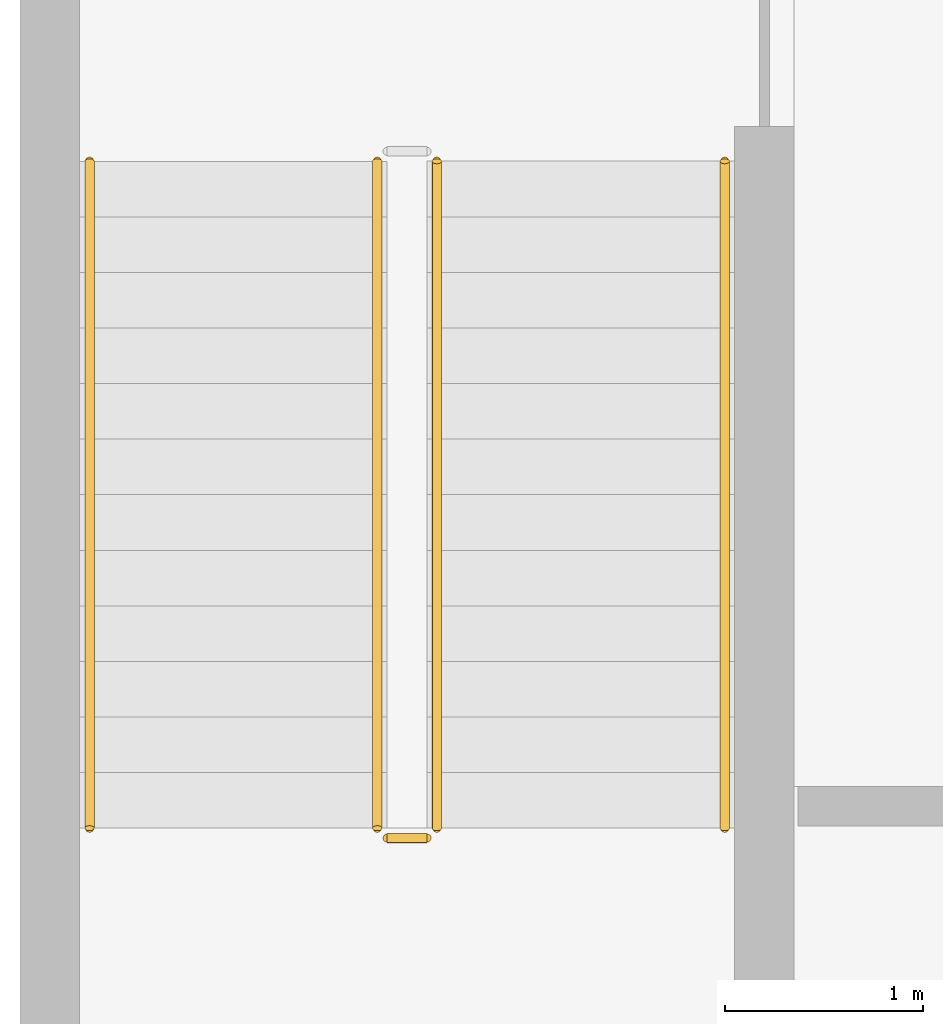
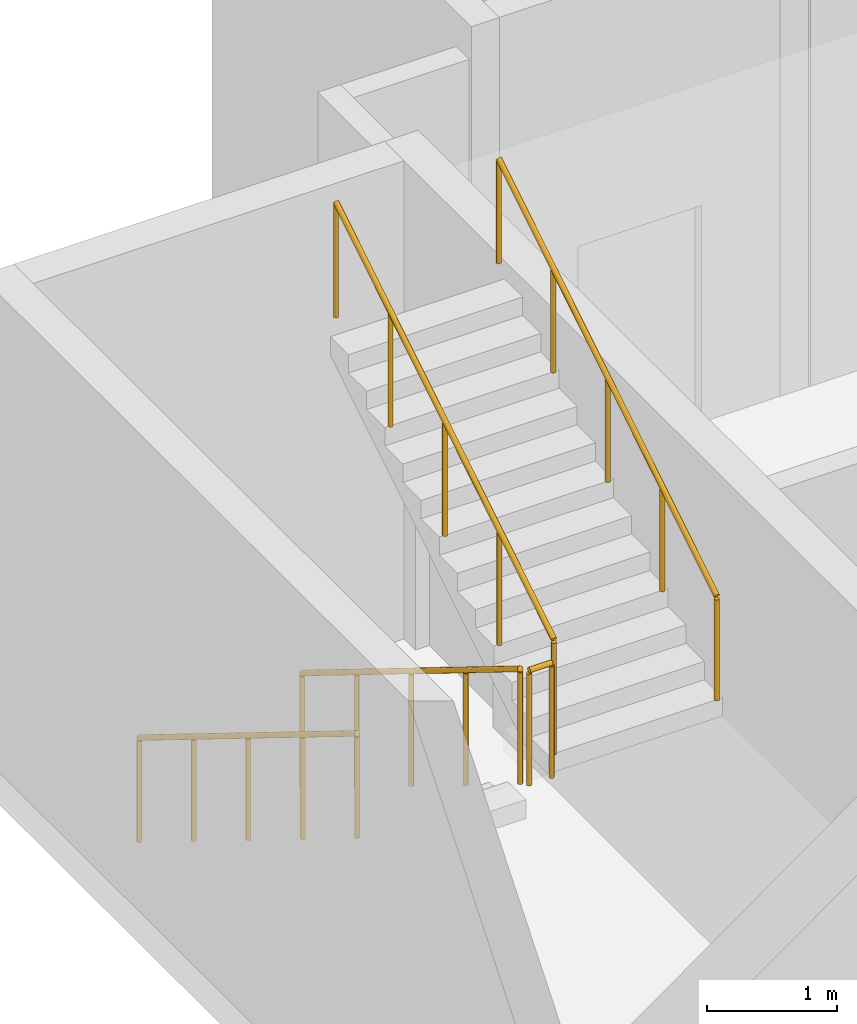
# One storey, part 3 of 7: 5 railings.
"""IFC4 building model written with IfcOpenShell, lengths in metres."""

from ifc_helpers import new_model, si_unit, direction, frame, origin, origin_2d, place, context, subcontext, project, spatial, circle, extrude, material, type_object, element, save


model = new_model("IFC4")

# Units and contexts
model_context = context("Model", 3, precision=1e-05, world=origin(), true_north=direction((0.0, 1.0)))
body_context = subcontext(model_context, "Body", "Model", "MODEL_VIEW")
ifc_project = project(units=[si_unit("LENGTHUNIT", "METRE"), si_unit("AREAUNIT", "SQUARE_METRE"), si_unit("VOLUMEUNIT", "CUBIC_METRE"), si_unit("PLANEANGLEUNIT", "RADIAN"), si_unit("MASSUNIT", "GRAM", prefix="KILO")], contexts=[model_context])

# Site, building, storey
site_placement = place(None, origin())
site = spatial("IfcSite", under=ifc_project, at=site_placement, CompositionType="ELEMENT")
building_placement = place(site_placement, origin())
building = spatial("IfcBuilding", under=site, at=building_placement, Name="Lunette Opera House", CompositionType="ELEMENT")
storey_placement = place(building_placement, frame((0.0, 0.0, -10.5)))
storey = spatial("IfcBuildingStorey", under=building, at=storey_placement, Name="B2", CompositionType="ELEMENT", Elevation=-10.5)

# Railings
ifc_material_1 = material(Name="Steel S355", Category="steel")
railing_type_1 = type_object("IfcRailingType", Name="STAIR GUARD 1100", PredefinedType="GUARDRAIL", material=ifc_material_1)
railing_1_placement = place(storey_placement, frame((75.800048828125, 128.14990234375, 0.173095703125)))
element("IfcRailing", 1, at=railing_1_placement, inside=storey, type_object=railing_type_1, Name="B2 ST11 stair guard 1", PredefinedType="GUARDRAIL", context=body_context, shape_type="SweptSolid", body=[
    extrude(circle(Radius=0.02392578125, at=origin_2d()), frame((0.0, 0.0, 1.076171875), z_axis=(0.0, -0.850606129759, 0.525803396734), x_axis=(1.0, 0.0, 0.0)), (0.0, 0.0, 1.0), 3.949951171875),
    extrude(circle(Radius=0.02099609375, at=origin_2d()), origin(), (0.0, 0.0, 1.0), 1.052001953125),
    extrude(circle(Radius=0.02099609375, at=origin_2d()), frame((0.0, -0.83984375, 0.519287109375)), (0.0, 0.0, 1.0), 1.052001953125),
    extrude(circle(Radius=0.02099609375, at=origin_2d()), frame((0.0, -1.679931640625, 1.03857421875)), (0.0, 0.0, 1.0), 1.052001953125),
    extrude(circle(Radius=0.02099609375, at=origin_2d()), frame((0.0, -2.52001953125, 1.5576171875)), (0.0, 0.0, 1.0), 1.052001953125),
    extrude(circle(Radius=0.02099609375, at=origin_2d()), frame((0.0, -3.35986328125, 2.076904296875)), (0.0, 0.0, 1.0), 1.052001953125),
])
railing_2_placement = place(storey_placement, frame((75.85009765625, 124.739990234375, 2.25)))
element("IfcRailing", 2, at=railing_2_placement, inside=storey, type_object=railing_type_1, Name="B2 ST11 stair guard 2", PredefinedType="GUARDRAIL", context=body_context, shape_type="SweptSolid", body=[
    extrude(circle(Radius=0.02392578125, at=origin_2d()), frame((0.0, 0.0, 1.076171875), z_axis=(1.0, 0.0, 0.0), x_axis=(0.0, 1.0, 0.0)), (0.0, 0.0, 1.0), 0.199951171875),
    extrude(circle(Radius=0.02099609375, at=origin_2d()), origin(), (0.0, 0.0, 1.0), 1.052001953125),
    extrude(circle(Radius=0.02099609375, at=origin_2d()), frame((0.199951171875, 0.0, 0.0)), (0.0, 0.0, 1.0), 1.052001953125),
])
railing_3_placement = place(storey_placement, frame((76.10009765625, 124.7900390625, 2.423095703125)))
element("IfcRailing", 3, at=railing_3_placement, inside=storey, type_object=railing_type_1, Name="B2 ST11 stair guard 3", PredefinedType="GUARDRAIL", context=body_context, shape_type="SweptSolid", body=[
    extrude(circle(Radius=0.02392578125, at=origin_2d()), frame((0.0, 0.0, 1.076171875), z_axis=(0.0, 0.850606129759, 0.525803396734), x_axis=(-1.0, 0.0, 0.0)), (0.0, 0.0, 1.0), 3.949951171875),
    extrude(circle(Radius=0.02099609375, at=origin_2d()), origin(), (0.0, 0.0, 1.0), 1.052001953125),
    extrude(circle(Radius=0.02099609375, at=origin_2d()), frame((0.0, 0.83984375, 0.519287109375)), (0.0, 0.0, 1.0), 1.052001953125),
    extrude(circle(Radius=0.02099609375, at=origin_2d()), frame((0.0, 1.679931640625, 1.03857421875)), (0.0, 0.0, 1.0), 1.052001953125),
    extrude(circle(Radius=0.02099609375, at=origin_2d()), frame((0.0, 2.52001953125, 1.5576171875)), (0.0, 0.0, 1.0), 1.052001953125),
    extrude(circle(Radius=0.02099609375, at=origin_2d()), frame((0.0, 3.35986328125, 2.076904296875)), (0.0, 0.0, 1.0), 1.052001953125),
])
ifc_material_2 = material(Name="Steel S355", Category="steel")
railing_type_2 = type_object("IfcRailingType", Name="STAIR HANDRAIL 1000", PredefinedType="HANDRAIL", material=ifc_material_2)
railing_4_placement = place(storey_placement, frame((74.35009765625, 128.14990234375, 0.173095703125)))
element("IfcRailing", 4, at=railing_4_placement, inside=storey, type_object=railing_type_2, Name="B2 ST11 stair handrail 1", PredefinedType="HANDRAIL", context=body_context, shape_type="SweptSolid", body=[
    extrude(circle(Radius=0.02392578125, at=origin_2d()), frame((0.0, 0.0, 0.97607421875), z_axis=(0.0, -0.850606129759, 0.525803396734), x_axis=(1.0, 0.0, 0.0)), (0.0, 0.0, 1.0), 3.949951171875),
    extrude(circle(Radius=0.02099609375, at=origin_2d()), origin(), (0.0, 0.0, 1.0), 0.951904296875),
    extrude(circle(Radius=0.02099609375, at=origin_2d()), frame((0.0, -0.83984375, 0.519287109375)), (0.0, 0.0, 1.0), 0.951904296875),
    extrude(circle(Radius=0.02099609375, at=origin_2d()), frame((0.0, -1.679931640625, 1.03857421875)), (0.0, 0.0, 1.0), 0.951904296875),
    extrude(circle(Radius=0.02099609375, at=origin_2d()), frame((0.0, -2.52001953125, 1.5576171875)), (0.0, 0.0, 1.0), 0.951904296875),
    extrude(circle(Radius=0.02099609375, at=origin_2d()), frame((0.0, -3.35986328125, 2.076904296875)), (0.0, 0.0, 1.0), 0.951904296875),
])
railing_5_placement = place(storey_placement, frame((77.550048828125, 124.7900390625, 2.423095703125)))
element("IfcRailing", 5, at=railing_5_placement, inside=storey, type_object=railing_type_2, Name="B2 ST11 stair handrail 2", PredefinedType="HANDRAIL", context=body_context, shape_type="SweptSolid", body=[
    extrude(circle(Radius=0.02392578125, at=origin_2d()), frame((0.0, 0.0, 0.97607421875), z_axis=(0.0, 0.850606129759, 0.525803396734), x_axis=(-1.0, 0.0, 0.0)), (0.0, 0.0, 1.0), 3.949951171875),
    extrude(circle(Radius=0.02099609375, at=origin_2d()), origin(), (0.0, 0.0, 1.0), 0.951904296875),
    extrude(circle(Radius=0.02099609375, at=origin_2d()), frame((0.0, 0.83984375, 0.519287109375)), (0.0, 0.0, 1.0), 0.951904296875),
    extrude(circle(Radius=0.02099609375, at=origin_2d()), frame((0.0, 1.679931640625, 1.03857421875)), (0.0, 0.0, 1.0), 0.951904296875),
    extrude(circle(Radius=0.02099609375, at=origin_2d()), frame((0.0, 2.52001953125, 1.5576171875)), (0.0, 0.0, 1.0), 0.951904296875),
    extrude(circle(Radius=0.02099609375, at=origin_2d()), frame((0.0, 3.35986328125, 2.076904296875)), (0.0, 0.0, 1.0), 0.951904296875),
])

save(model, "model.ifc")
